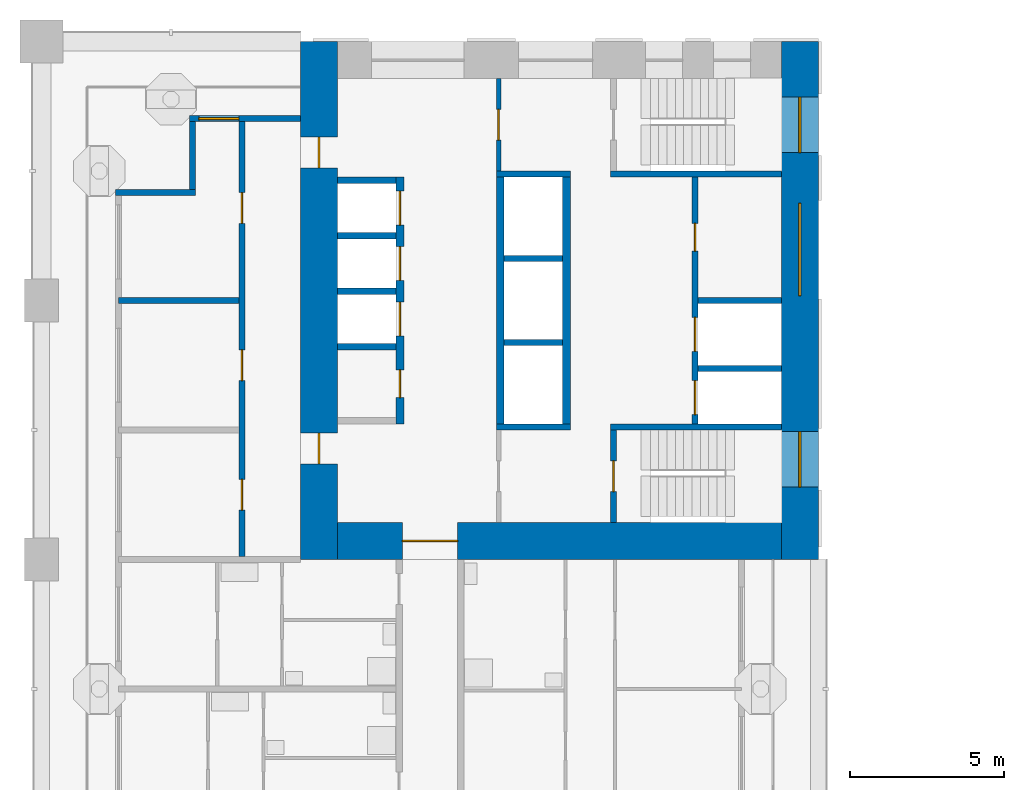
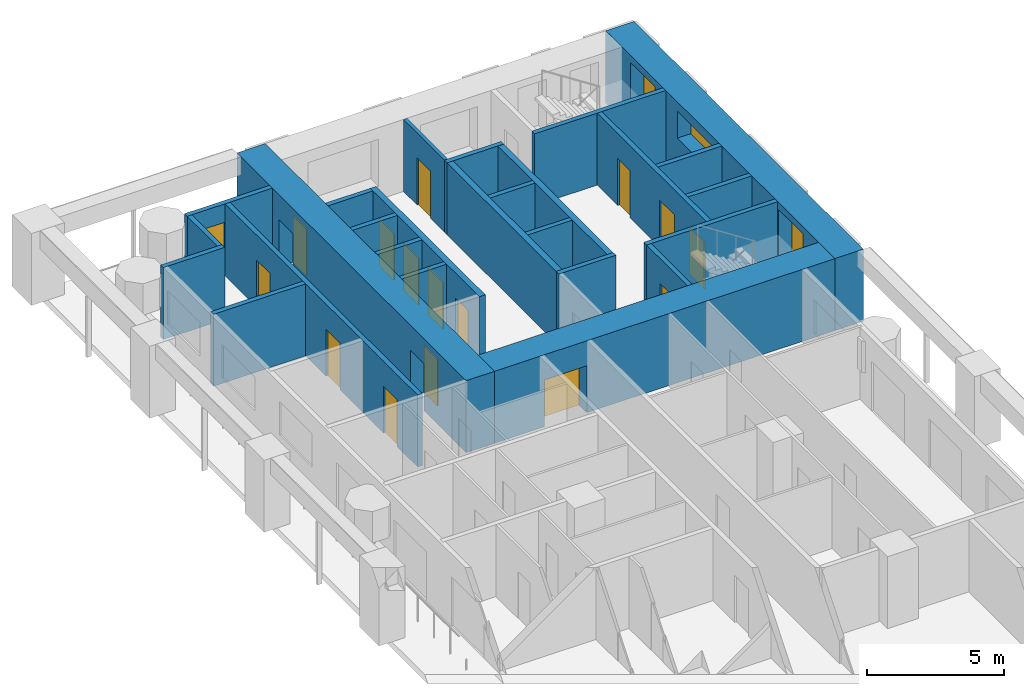
# One storey, part 8 of 19: 26 walls, 15 doors, 4 windows, 19 openings.
"""IFC4 building model written with IfcOpenShell, lengths in metres."""

from ifc_helpers import new_model, si_unit, direction, frame, frame_2d, origin, place, context, subcontext, project, spatial, rectangle, extrude, material, layer, layer_set, type_object, element, fill, save


model = new_model("IFC4")

# Units and contexts
model_context = context("Model", 3, precision=1e-05, world=origin(), true_north=direction((0.0, 1.0)))
body_context = subcontext(model_context, "Body", "Model", "MODEL_VIEW")
ifc_project = project(units=[si_unit("LENGTHUNIT", "METRE"), si_unit("AREAUNIT", "SQUARE_METRE"), si_unit("VOLUMEUNIT", "CUBIC_METRE"), si_unit("PLANEANGLEUNIT", "RADIAN"), si_unit("MASSUNIT", "GRAM", prefix="KILO")], contexts=[model_context])

# Site, building, storey
site_placement = place(None, origin())
site = spatial("IfcSite", under=ifc_project, at=site_placement, CompositionType="ELEMENT")
building_placement = place(site_placement, origin())
building = spatial("IfcBuilding", under=site, at=building_placement, Name="Vermilion Gate Residences", CompositionType="ELEMENT")
storey_placement = place(building_placement, frame((0.0, 0.0, 32.199951171875)))
storey = spatial("IfcBuildingStorey", under=building, at=storey_placement, Name="L06", CompositionType="ELEMENT", Elevation=32.199951171875)

# Wall, opening, door
ifc_material_1 = material(Name="Masonry blockwork", Category="masonry")
ifc_layer_1 = layer(ifc_material_1, 0.14990234375)
ifc_layer_set_1 = layer_set([ifc_layer_1], Name="BLOCKWORK PARTITION 150 EI 120")
wall_type_1 = type_object("IfcWallType", Name="BLOCKWORK PARTITION 150 EI 120", PredefinedType="PARTITIONING", material=ifc_layer_set_1)
wall_1_placement = place(storey_placement, frame((14.824951171875, 57.60009765625, 0.0), z_axis=(0.0, 0.0, 1.0), x_axis=(0.0, -1.0, 0.0)))
wall_1 = element("IfcWall", 1, at=wall_1_placement, inside=storey, type_object=wall_type_1, Name="Core room partition B06-VW-S", PredefinedType="PARTITIONING", context=body_context, shape_type="SweptSolid", body=[
    extrude(rectangle(XDim=3.0, YDim=0.14990234375, at=frame_2d((1.5, 0.0))), origin(), (0.0, 0.0, 1.0), 3.219970703125),
])
opening_1_placement = place(wall_1_placement, frame((1.0, 0.0, 0.0)))
opening_1 = element("IfcOpeningElement", 2, at=opening_1_placement, cuts=wall_1, Name="Opening DK06111", PredefinedType="OPENING", context=body_context, shape_type="SweptSolid", body=[
    extrude(rectangle(XDim=1.0, YDim=2.10009765625, at=frame_2d((0.5, 1.050048828125))), frame((0.0, 0.0849609375, 0.0), z_axis=(0.0, -1.0, 0.0), x_axis=(1.0, 0.0, 0.0)), (0.0, 0.0, 1.0), 0.169921875),
])
ifc_material_2 = material(Name="Steel", Category="steel")
door_type_1 = type_object("IfcDoorType", Name="FIRE DOOR FD60 1000 X 2100", OperationType="SINGLE_SWING_LEFT", PredefinedType="DOOR", material=ifc_material_2)
door_1_placement = place(opening_1_placement, frame((1.0, 0.0, 0.0), z_axis=(0.0, 0.0, 1.0), x_axis=(-1.0, 0.0, 0.0)))
door_1 = element("IfcDoor", 3, at=door_1_placement, inside=storey, type_object=door_type_1, Name="Stair vestibule door B06", OperationType="SINGLE_SWING_RIGHT", OverallHeight=2.10009765625, OverallWidth=1.0, PredefinedType="DOOR", context=body_context, shape_type="SweptSolid", body=[
    extrude(rectangle(XDim=1.0, YDim=2.10009765625, at=frame_2d((0.5, 1.050048828125))), frame((0.0, 0.02490234375, 0.0), z_axis=(0.0, -1.0, 0.0), x_axis=(1.0, 0.0, 0.0)), (0.0, 0.0, 1.0), 0.050048828125),
])
fill(opening_1, door_1)

# Wall, opening, window
ifc_material_3 = material(Name="Insulated steel stud wall with terracotta rainscreen", Category="masonry")
ifc_layer_2 = layer(ifc_material_3, 0.199951171875)
ifc_layer_set_2 = layer_set([ifc_layer_2], Name="EXTERNAL WALL 200 TERRACOTTA RAINSCREEN")
wall_type_2 = type_object("IfcWallType", Name="EXTERNAL WALL 200 TERRACOTTA RAINSCREEN", PredefinedType="SOLIDWALL", material=ifc_layer_set_2)
wall_2_placement = place(storey_placement, frame((8.39990234375, 56.300048828125, 0.0), z_axis=(0.0, 0.0, 1.0), x_axis=(-1.0, 0.0, 0.0)))
wall_2 = element("IfcWall", 4, at=wall_2_placement, inside=storey, type_object=wall_type_2, Name="External wall", PredefinedType="SOLIDWALL", context=body_context, shape_type="SweptSolid", body=[
    extrude(rectangle(XDim=3.599853515625, YDim=0.199951171875, at=frame_2d((1.7998046875, 0.0))), origin(), (0.0, 0.0, 1.0), 3.219970703125),
])
opening_2_placement = place(wall_2_placement, frame((2.0, 0.0, 0.89990234375)))
opening_2 = element("IfcOpeningElement", 5, at=opening_2_placement, cuts=wall_2, Name="Opening WE06001", PredefinedType="OPENING", context=body_context, shape_type="SweptSolid", body=[
    extrude(rectangle(XDim=1.300048828125, YDim=1.5, at=frame_2d((0.64990234375, 0.75))), frame((0.0, 0.10986328125, 0.0), z_axis=(0.0, -1.0, 0.0), x_axis=(1.0, 0.0, 0.0)), (0.0, 0.0, 1.0), 0.219970703125),
])
ifc_material_4 = material(Name="Aluminium and clear glass", Category="aluminium")
window_type_1 = type_object("IfcWindowType", Name="WINDOW 1300 X 1500", PartitioningType="SINGLE_PANEL", PredefinedType="WINDOW", material=ifc_material_4)
window_1_placement = place(opening_2_placement, origin())
window_1 = element("IfcWindow", 6, at=window_1_placement, inside=storey, type_object=window_type_1, Name="Window", OverallHeight=1.5, OverallWidth=1.300048828125, PartitioningType="SINGLE_PANEL", PredefinedType="WINDOW", context=body_context, shape_type="SweptSolid", body=[
    extrude(rectangle(XDim=1.300048828125, YDim=1.5, at=frame_2d((0.64990234375, 0.75))), frame((0.0, 0.030029296875, 0.0), z_axis=(0.0, -1.0, 0.0), x_axis=(1.0, 0.0, 0.0)), (0.0, 0.0, 1.0), 0.06005859375),
])
fill(opening_2, window_1)

# Walls
wall_3_placement = place(storey_placement, frame((4.89990234375, 56.199951171875, 0.0), z_axis=(0.0, 0.0, 1.0), x_axis=(0.0, -1.0, 0.0)))
element("IfcWall", 7, at=wall_3_placement, inside=storey, type_object=wall_type_2, Name="External wall", PredefinedType="SOLIDWALL", context=body_context, shape_type="SweptSolid", body=[
    extrude(rectangle(XDim=2.199951171875, YDim=0.199951171875, at=frame_2d((1.10009765625, 0.0))), origin(), (0.0, 0.0, 1.0), 3.219970703125),
])
wall_4_placement = place(storey_placement, frame((5.0, 53.89990234375, 0.0), z_axis=(0.0, 0.0, 1.0), x_axis=(-1.0, 0.0, 0.0)))
element("IfcWall", 8, at=wall_4_placement, inside=storey, type_object=wall_type_2, Name="External wall", PredefinedType="SOLIDWALL", context=body_context, shape_type="SweptSolid", body=[
    extrude(rectangle(XDim=2.60009765625, YDim=0.199951171875, at=frame_2d((1.300048828125, 0.0))), origin(), (0.0, 0.0, 1.0), 3.219970703125),
])
ifc_material_5 = material(Name="Fire-rated plasterboard on steel studs", Category="steel")
ifc_layer_3 = layer(ifc_material_5, 0.199951171875)
ifc_layer_set_3 = layer_set([ifc_layer_3], Name="PARTY WALL 200 EI 120")
wall_type_3 = type_object("IfcWallType", Name="PARTY WALL 200 EI 120", PredefinedType="PARTITIONING", material=ifc_layer_set_3)
wall_5_placement = place(storey_placement, frame((2.5, 50.39990234375, 0.0), z_axis=(0.0, 0.0, 1.0), x_axis=(1.0, 0.0, 0.0)))
element("IfcWall", 9, at=wall_5_placement, inside=storey, type_object=wall_type_3, Name="Party and corridor wall", PredefinedType="PARTITIONING", context=body_context, shape_type="SweptSolid", body=[
    extrude(rectangle(XDim=3.89990234375, YDim=0.199951171875, at=frame_2d((1.949951171875, 0.0))), origin(), (0.0, 0.0, 1.0), 3.219970703125),
])

# Wall, openings, doors
wall_6_placement = place(storey_placement, frame((6.5, 42.10009765625, 0.0), z_axis=(0.0, 0.0, 1.0), x_axis=(0.0, 1.0, 0.0)))
wall_6 = element("IfcWall", 10, at=wall_6_placement, inside=storey, type_object=wall_type_3, Name="Party and corridor wall", PredefinedType="PARTITIONING", context=body_context, shape_type="SweptSolid", body=[
    extrude(rectangle(XDim=14.199951171875, YDim=0.199951171875, at=frame_2d((7.10009765625, 0.0))), origin(), (0.0, 0.0, 1.0), 3.219970703125),
])
opening_3_placement = place(wall_6_placement, frame((1.5, 0.0, 0.0)))
opening_3 = element("IfcOpeningElement", 11, at=opening_3_placement, cuts=wall_6, Name="Opening DA04035", PredefinedType="OPENING", context=body_context, shape_type="SweptSolid", body=[
    extrude(rectangle(XDim=1.0, YDim=2.10009765625, at=frame_2d((0.5, 1.050048828125))), frame((0.0, 0.10986328125, 0.0), z_axis=(0.0, -1.0, 0.0), x_axis=(1.0, 0.0, 0.0)), (0.0, 0.0, 1.0), 0.219970703125),
])
opening_4_placement = place(wall_6_placement, frame((5.699951171875, 0.0, 0.0)))
opening_4 = element("IfcOpeningElement", 12, at=opening_4_placement, cuts=wall_6, Name="Opening DA04036", PredefinedType="OPENING", context=body_context, shape_type="SweptSolid", body=[
    extrude(rectangle(XDim=1.0, YDim=2.10009765625, at=frame_2d((0.5, 1.050048828125))), frame((0.0, 0.10986328125, 0.0), z_axis=(0.0, -1.0, 0.0), x_axis=(1.0, 0.0, 0.0)), (0.0, 0.0, 1.0), 0.219970703125),
])
opening_5_placement = place(wall_6_placement, frame((10.800048828125, 0.0, 0.0)))
opening_5 = element("IfcOpeningElement", 13, at=opening_5_placement, cuts=wall_6, Name="Opening DA04037", PredefinedType="OPENING", context=body_context, shape_type="SweptSolid", body=[
    extrude(rectangle(XDim=1.0, YDim=2.10009765625, at=frame_2d((0.5, 1.050048828125))), frame((0.0, 0.10986328125, 0.0), z_axis=(0.0, -1.0, 0.0), x_axis=(1.0, 0.0, 0.0)), (0.0, 0.0, 1.0), 0.219970703125),
])
ifc_material_6 = material(Name="Steel", Category="steel")
door_type_2 = type_object("IfcDoorType", Name="ENTRANCE DOOR 1000 X 2100 FD30", OperationType="SINGLE_SWING_LEFT", PredefinedType="DOOR", material=ifc_material_6)
door_2_placement = place(opening_3_placement, origin())
door_2 = element("IfcDoor", 14, at=door_2_placement, inside=storey, type_object=door_type_2, Name="Entrance door", OperationType="SINGLE_SWING_LEFT", OverallHeight=2.10009765625, OverallWidth=1.0, PredefinedType="DOOR", context=body_context, shape_type="SweptSolid", body=[
    extrude(rectangle(XDim=1.0, YDim=2.10009765625, at=frame_2d((0.5, 1.050048828125))), frame((0.0, 0.02490234375, 0.0), z_axis=(0.0, -1.0, 0.0), x_axis=(1.0, 0.0, 0.0)), (0.0, 0.0, 1.0), 0.050048828125),
])
fill(opening_3, door_2)
door_3_placement = place(opening_4_placement, origin())
door_3 = element("IfcDoor", 15, at=door_3_placement, inside=storey, type_object=door_type_2, Name="Entrance door", OperationType="SINGLE_SWING_RIGHT", OverallHeight=2.10009765625, OverallWidth=1.0, PredefinedType="DOOR", context=body_context, shape_type="SweptSolid", body=[
    extrude(rectangle(XDim=1.0, YDim=2.10009765625, at=frame_2d((0.5, 1.050048828125))), frame((0.0, 0.02490234375, 0.0), z_axis=(0.0, -1.0, 0.0), x_axis=(1.0, 0.0, 0.0)), (0.0, 0.0, 1.0), 0.050048828125),
])
fill(opening_4, door_3)
door_4_placement = place(opening_5_placement, origin())
door_4 = element("IfcDoor", 16, at=door_4_placement, inside=storey, type_object=door_type_2, Name="Entrance door", OperationType="SINGLE_SWING_RIGHT", OverallHeight=2.10009765625, OverallWidth=1.0, PredefinedType="DOOR", context=body_context, shape_type="SweptSolid", body=[
    extrude(rectangle(XDim=1.0, YDim=2.10009765625, at=frame_2d((0.5, 1.050048828125))), frame((0.0, 0.02490234375, 0.0), z_axis=(0.0, -1.0, 0.0), x_axis=(1.0, 0.0, 0.0)), (0.0, 0.0, 1.0), 0.050048828125),
])
fill(opening_5, door_4)

# Walls
ifc_material_7 = material(Name="Concrete C60", Category="concrete")
ifc_layer_4 = layer(ifc_material_7, 0.199951171875)
ifc_layer_set_4 = layer_set([ifc_layer_4], Name="RC CORE INTERNAL WALL 200 C60")
wall_type_4 = type_object("IfcWallType", Name="RC CORE INTERNAL WALL 200 C60", PredefinedType="SHEAR", material=ifc_layer_set_4)
for number, where, z_axis, x_axis, name in (
    (17, (9.60009765625, 54.300048828125, 0.0), (0.0, 0.0, 1.0), (1.0, 0.0, 0.0), "Core internal wall B06-LR-D0"),
    (18, (9.60009765625, 52.5, 0.0), (0.0, 0.0, 1.0), (1.0, 0.0, 0.0), "Core internal wall B06-LR-D1"),
    (19, (9.60009765625, 50.699951171875, 0.0), (0.0, 0.0, 1.0), (1.0, 0.0, 0.0), "Core internal wall B06-LR-D2"),
    (20, (9.60009765625, 48.89990234375, 0.0), (0.0, 0.0, 1.0), (1.0, 0.0, 0.0), "Core internal wall B06-LR-D3"),
    (21, (15.0, 51.7666015625, 0.0), (0.0, 0.0, 1.0), (1.0, 0.0, 0.0), "Core internal wall B06-HR-D1"),
    (22, (15.0, 49.033447265625, 0.0), (0.0, 0.0, 1.0), (1.0, 0.0, 0.0), "Core internal wall B06-HR-D2"),
):
    element("IfcWall", number, at=place(storey_placement, frame(where, z_axis=z_axis, x_axis=x_axis)), inside=storey, type_object=wall_type_4, Name=name, PredefinedType="SHEAR", context=body_context, shape_type="SweptSolid", body=[
        extrude(rectangle(XDim=1.89990234375, YDim=0.199951171875, at=frame_2d((0.949951171875, 0.0))), origin(), (0.0, 0.0, 1.0), 3.219970703125),
    ])
for number, where, z_axis, x_axis, name in (
    (23, (21.300048828125, 50.39990234375, 0.0), (0.0, 0.0, 1.0), (1.0, 0.0, 0.0), "Core internal wall B06-FF-D0"),
    (24, (21.300048828125, 48.199951171875, 0.0), (0.0, 0.0, 1.0), (1.0, 0.0, 0.0), "Core internal wall B06-FF-D1"),
):
    element("IfcWall", number, at=place(storey_placement, frame(where, z_axis=z_axis, x_axis=x_axis)), inside=storey, type_object=wall_type_4, Name=name, PredefinedType="SHEAR", context=body_context, shape_type="SweptSolid", body=[
        extrude(rectangle(XDim=2.699951171875, YDim=0.199951171875, at=frame_2d((1.35009765625, 0.0))), origin(), (0.0, 0.0, 1.0), 3.219970703125),
    ])

# Wall, openings, doors
wall_7_placement = place(storey_placement, frame((21.199951171875, 54.39990234375, 0.0), z_axis=(0.0, 0.0, 1.0), x_axis=(0.0, -1.0, 0.0)))
wall_7 = element("IfcWall", 25, at=wall_7_placement, inside=storey, type_object=wall_type_4, Name="Core internal wall B06-FF-F", PredefinedType="SHEAR", context=body_context, shape_type="SweptSolid", body=[
    extrude(rectangle(XDim=8.0, YDim=0.199951171875, at=frame_2d((4.0, 0.0))), origin(), (0.0, 0.0, 1.0), 3.219970703125),
])
opening_6_placement = place(wall_7_placement, frame((1.5, 0.0, 0.0)))
opening_6 = element("IfcOpeningElement", 26, at=opening_6_placement, cuts=wall_7, Name="Opening DK06108", PredefinedType="OPENING", context=body_context, shape_type="SweptSolid", body=[
    extrude(rectangle(XDim=0.89990234375, YDim=2.10009765625, at=frame_2d((0.449951171875, 1.050048828125))), frame((0.0, 0.10986328125, 0.0), z_axis=(0.0, -1.0, 0.0), x_axis=(1.0, 0.0, 0.0)), (0.0, 0.0, 1.0), 0.219970703125),
])
opening_7_placement = place(wall_7_placement, frame((4.550048828125, 0.0, 0.0)))
opening_7 = element("IfcOpeningElement", 27, at=opening_7_placement, cuts=wall_7, Name="Opening LD", PredefinedType="OPENING", context=body_context, shape_type="SweptSolid", body=[
    extrude(rectangle(XDim=1.10009765625, YDim=2.10009765625, at=frame_2d((0.550048828125, 1.050048828125))), frame((0.0, 0.10986328125, 0.0), z_axis=(0.0, -1.0, 0.0), x_axis=(1.0, 0.0, 0.0)), (0.0, 0.0, 1.0), 0.219970703125),
])
opening_8_placement = place(wall_7_placement, frame((6.60009765625, 0.0, 0.0)))
opening_8 = element("IfcOpeningElement", 28, at=opening_8_placement, cuts=wall_7, Name="Opening LD", PredefinedType="OPENING", context=body_context, shape_type="SweptSolid", body=[
    extrude(rectangle(XDim=1.10009765625, YDim=2.10009765625, at=frame_2d((0.550048828125, 1.050048828125))), frame((0.0, 0.10986328125, 0.0), z_axis=(0.0, -1.0, 0.0), x_axis=(1.0, 0.0, 0.0)), (0.0, 0.0, 1.0), 0.219970703125),
])
ifc_material_8 = material(Name="Stainless steel", Category="steel")
door_type_3 = type_object("IfcDoorType", Name="LIFT LANDING DOOR E60 1100 X 2100", OperationType="DOUBLE_DOOR_SLIDING", PredefinedType="DOOR", material=ifc_material_8)
door_5_placement = place(opening_7_placement, origin())
door_5 = element("IfcDoor", 29, at=door_5_placement, inside=storey, type_object=door_type_3, Name="Lift landing door LFB1", OperationType="DOUBLE_DOOR_SLIDING", OverallHeight=2.10009765625, OverallWidth=1.10009765625, PredefinedType="DOOR", context=body_context, shape_type="SweptSolid", body=[
    extrude(rectangle(XDim=1.10009765625, YDim=2.10009765625, at=frame_2d((0.550048828125, 1.050048828125))), frame((0.0, 0.02490234375, 0.0), z_axis=(0.0, -1.0, 0.0), x_axis=(1.0, 0.0, 0.0)), (0.0, 0.0, 1.0), 0.050048828125),
])
fill(opening_7, door_5)
door_6_placement = place(opening_8_placement, origin())
door_6 = element("IfcDoor", 30, at=door_6_placement, inside=storey, type_object=door_type_3, Name="Lift landing door LCB1", OperationType="DOUBLE_DOOR_SLIDING", OverallHeight=2.10009765625, OverallWidth=1.10009765625, PredefinedType="DOOR", context=body_context, shape_type="SweptSolid", body=[
    extrude(rectangle(XDim=1.10009765625, YDim=2.10009765625, at=frame_2d((0.550048828125, 1.050048828125))), frame((0.0, 0.02490234375, 0.0), z_axis=(0.0, -1.0, 0.0), x_axis=(1.0, 0.0, 0.0)), (0.0, 0.0, 1.0), 0.050048828125),
])
fill(opening_8, door_6)
ifc_material_9 = material(Name="Steel", Category="steel")
door_type_4 = type_object("IfcDoorType", Name="SERVICE ROOM DOOR FD60 900 X 2100", OperationType="SINGLE_SWING_LEFT", PredefinedType="DOOR", material=ifc_material_9)
door_7_placement = place(opening_6_placement, origin())
door_7 = element("IfcDoor", 31, at=door_7_placement, inside=storey, type_object=door_type_4, Name="Electrical riser B06", OperationType="SINGLE_SWING_LEFT", OverallHeight=2.10009765625, OverallWidth=0.89990234375, PredefinedType="DOOR", context=body_context, shape_type="SweptSolid", body=[
    extrude(rectangle(XDim=0.89990234375, YDim=2.10009765625, at=frame_2d((0.449951171875, 1.050048828125))), frame((0.0, 0.02490234375, 0.0), z_axis=(0.0, -1.0, 0.0), x_axis=(1.0, 0.0, 0.0)), (0.0, 0.0, 1.0), 0.050048828125),
])
fill(opening_6, door_7)

# Walls
wall_8_placement = place(storey_placement, frame((14.75, 54.5, 0.0), z_axis=(0.0, 0.0, 1.0), x_axis=(1.0, 0.0, 0.0)))
element("IfcWall", 32, at=wall_8_placement, inside=storey, type_object=wall_type_4, Name="Core internal wall B06-WDIV1", PredefinedType="SHEAR", context=body_context, shape_type="SweptSolid", body=[
    extrude(rectangle(XDim=2.39990234375, YDim=0.199951171875, at=frame_2d((1.199951171875, 0.0))), origin(), (0.0, 0.0, 1.0), 3.219970703125),
])
wall_9_placement = place(storey_placement, frame((18.449951171875, 54.5, 0.0), z_axis=(0.0, 0.0, 1.0), x_axis=(1.0, 0.0, 0.0)))
element("IfcWall", 33, at=wall_9_placement, inside=storey, type_object=wall_type_4, Name="Core internal wall B06-WDIV2", PredefinedType="SHEAR", context=body_context, shape_type="SweptSolid", body=[
    extrude(rectangle(XDim=5.550048828125, YDim=0.199951171875, at=frame_2d((2.77490234375, 0.0))), origin(), (0.0, 0.0, 1.0), 3.219970703125),
])
wall_10_placement = place(storey_placement, frame((14.75, 46.300048828125, 0.0), z_axis=(0.0, 0.0, 1.0), x_axis=(1.0, 0.0, 0.0)))
element("IfcWall", 34, at=wall_10_placement, inside=storey, type_object=wall_type_4, Name="Core internal wall B06-EDIV1", PredefinedType="SHEAR", context=body_context, shape_type="SweptSolid", body=[
    extrude(rectangle(XDim=2.39990234375, YDim=0.199951171875, at=frame_2d((1.199951171875, 0.0))), origin(), (0.0, 0.0, 1.0), 3.219970703125),
])
wall_11_placement = place(storey_placement, frame((18.449951171875, 46.300048828125, 0.0), z_axis=(0.0, 0.0, 1.0), x_axis=(1.0, 0.0, 0.0)))
element("IfcWall", 35, at=wall_11_placement, inside=storey, type_object=wall_type_4, Name="Core internal wall B06-EDIV2", PredefinedType="SHEAR", context=body_context, shape_type="SweptSolid", body=[
    extrude(rectangle(XDim=5.550048828125, YDim=0.199951171875, at=frame_2d((2.77490234375, 0.0))), origin(), (0.0, 0.0, 1.0), 3.219970703125),
])

# Wall, opening, door
wall_12_placement = place(storey_placement, frame((18.550048828125, 46.199951171875, 0.0), z_axis=(0.0, 0.0, 1.0), x_axis=(0.0, -1.0, 0.0)))
wall_12 = element("IfcWall", 36, at=wall_12_placement, inside=storey, type_object=wall_type_4, Name="Core internal wall B06-STE-S", PredefinedType="SHEAR", context=body_context, shape_type="SweptSolid", body=[
    extrude(rectangle(XDim=3.0, YDim=0.199951171875, at=frame_2d((1.5, 0.0))), origin(), (0.0, 0.0, 1.0), 3.219970703125),
])
opening_9_placement = place(wall_12_placement, frame((1.0, 0.0, 0.0)))
opening_9 = element("IfcOpeningElement", 37, at=opening_9_placement, cuts=wall_12, Name="Opening DK06114", PredefinedType="OPENING", context=body_context, shape_type="SweptSolid", body=[
    extrude(rectangle(XDim=1.0, YDim=2.10009765625, at=frame_2d((0.5, 1.050048828125))), frame((0.0, 0.10986328125, 0.0), z_axis=(0.0, -1.0, 0.0), x_axis=(1.0, 0.0, 0.0)), (0.0, 0.0, 1.0), 0.219970703125),
])
door_8_placement = place(opening_9_placement, origin())
door_8 = element("IfcDoor", 38, at=door_8_placement, inside=storey, type_object=door_type_1, Name="Stair door B06", OperationType="SINGLE_SWING_LEFT", OverallHeight=2.10009765625, OverallWidth=1.0, PredefinedType="DOOR", context=body_context, shape_type="SweptSolid", body=[
    extrude(rectangle(XDim=1.0, YDim=2.10009765625, at=frame_2d((0.5, 1.050048828125))), frame((0.0, 0.02490234375, 0.0), z_axis=(0.0, -1.0, 0.0), x_axis=(1.0, 0.0, 0.0)), (0.0, 0.0, 1.0), 0.050048828125),
])
fill(opening_9, door_8)

# Wall, openings, doors
ifc_material_10 = material(Name="Concrete C80", Category="concrete")
ifc_layer_5 = layer(ifc_material_10, 1.199951171875)
ifc_layer_set_5 = layer_set([ifc_layer_5], Name="RC CORE WALL 1200 C80")
wall_type_5 = type_object("IfcWallType", Name="RC CORE WALL 1200 C80", PredefinedType="SHEAR", material=ifc_layer_set_5)
wall_13_placement = place(storey_placement, frame((9.0, 58.800048828125, 0.0), z_axis=(0.0, 0.0, 1.0), x_axis=(0.0, -1.0, 0.0)))
wall_13 = element("IfcWall", 39, at=wall_13_placement, inside=storey, type_object=wall_type_5, Name="Core wall B06-OUT-B0", PredefinedType="SHEAR", context=body_context, shape_type="SweptSolid", body=[
    extrude(rectangle(XDim=16.800048828125, YDim=1.199951171875, at=frame_2d((8.39990234375, 0.0))), origin(), (0.0, 0.0, 1.0), 3.219970703125),
])
opening_10_placement = place(wall_13_placement, frame((3.10009765625, 0.0, 0.0)))
opening_10 = element("IfcOpeningElement", 40, at=opening_10_placement, cuts=wall_13, Name="Opening DK06101", PredefinedType="OPENING", context=body_context, shape_type="SweptSolid", body=[
    extrude(rectangle(XDim=1.0, YDim=2.10009765625, at=frame_2d((0.5, 1.050048828125))), frame((0.0, 0.60986328125, 0.0), z_axis=(0.0, -1.0, 0.0), x_axis=(1.0, 0.0, 0.0)), (0.0, 0.0, 1.0), 1.219970703125),
])
opening_11_placement = place(wall_13_placement, frame((12.699951171875, 0.0, 0.0)))
opening_11 = element("IfcOpeningElement", 41, at=opening_11_placement, cuts=wall_13, Name="Opening DK06102", PredefinedType="OPENING", context=body_context, shape_type="SweptSolid", body=[
    extrude(rectangle(XDim=1.0, YDim=2.10009765625, at=frame_2d((0.5, 1.050048828125))), frame((0.0, 0.60986328125, 0.0), z_axis=(0.0, -1.0, 0.0), x_axis=(1.0, 0.0, 0.0)), (0.0, 0.0, 1.0), 1.219970703125),
])
door_9_placement = place(opening_10_placement, origin())
door_9 = element("IfcDoor", 42, at=door_9_placement, inside=storey, type_object=door_type_1, Name="Core lobby side door B06", OperationType="SINGLE_SWING_RIGHT", OverallHeight=2.10009765625, OverallWidth=1.0, PredefinedType="DOOR", context=body_context, shape_type="SweptSolid", body=[
    extrude(rectangle(XDim=1.0, YDim=2.10009765625, at=frame_2d((0.5, 1.050048828125))), frame((0.0, 0.02490234375, 0.0), z_axis=(0.0, -1.0, 0.0), x_axis=(1.0, 0.0, 0.0)), (0.0, 0.0, 1.0), 0.050048828125),
])
fill(opening_10, door_9)
door_10_placement = place(opening_11_placement, origin())
door_10 = element("IfcDoor", 43, at=door_10_placement, inside=storey, type_object=door_type_1, Name="Core lobby side door B06", OperationType="SINGLE_SWING_LEFT", OverallHeight=2.10009765625, OverallWidth=1.0, PredefinedType="DOOR", context=body_context, shape_type="SweptSolid", body=[
    extrude(rectangle(XDim=1.0, YDim=2.10009765625, at=frame_2d((0.5, 1.050048828125))), frame((0.0, 0.02490234375, 0.0), z_axis=(0.0, -1.0, 0.0), x_axis=(1.0, 0.0, 0.0)), (0.0, 0.0, 1.0), 0.050048828125),
])
fill(opening_11, door_10)

# Wall, opening, door
wall_14_placement = place(storey_placement, frame((9.60009765625, 42.60009765625, 0.0), z_axis=(0.0, 0.0, 1.0), x_axis=(1.0, 0.0, 0.0)))
wall_14 = element("IfcWall", 44, at=wall_14_placement, inside=storey, type_object=wall_type_5, Name="Core wall B06-OUT-BK", PredefinedType="SHEAR", context=body_context, shape_type="SweptSolid", body=[
    extrude(rectangle(XDim=14.39990234375, YDim=1.199951171875, at=frame_2d((7.199951171875, 0.0))), origin(), (0.0, 0.0, 1.0), 3.219970703125),
])
opening_12_placement = place(wall_14_placement, frame((2.10009765625, 0.0, 0.0)))
opening_12 = element("IfcOpeningElement", 45, at=opening_12_placement, cuts=wall_14, Name="Opening DK06103", PredefinedType="OPENING", context=body_context, shape_type="SweptSolid", body=[
    extrude(rectangle(XDim=1.800048828125, YDim=2.10009765625, at=frame_2d((0.89990234375, 1.050048828125))), frame((0.0, 0.60986328125, 0.0), z_axis=(0.0, -1.0, 0.0), x_axis=(1.0, 0.0, 0.0)), (0.0, 0.0, 1.0), 1.219970703125),
])
ifc_material_11 = material(Name="Steel", Category="steel")
door_type_5 = type_object("IfcDoorType", Name="CORE LOBBY DOOR FD60 1800 X 2100", OperationType="DOUBLE_DOOR_SINGLE_SWING", PredefinedType="DOOR", material=ifc_material_11)
door_11_placement = place(opening_12_placement, origin())
door_11 = element("IfcDoor", 46, at=door_11_placement, inside=storey, type_object=door_type_5, Name="Core lobby door B06", OperationType="DOUBLE_DOOR_SINGLE_SWING", OverallHeight=2.10009765625, OverallWidth=1.800048828125, PredefinedType="DOOR", context=body_context, shape_type="SweptSolid", body=[
    extrude(rectangle(XDim=1.800048828125, YDim=2.10009765625, at=frame_2d((0.89990234375, 1.050048828125))), frame((0.0, 0.02490234375, 0.0), z_axis=(0.0, -1.0, 0.0), x_axis=(1.0, 0.0, 0.0)), (0.0, 0.0, 1.0), 0.050048828125),
])
fill(opening_12, door_11)

# Wall, openings, windows
ifc_material_12 = material(Name="Concrete C80 red-oxide pigmented", Category="concrete")
ifc_layer_6 = layer(ifc_material_12, 1.199951171875)
ifc_layer_set_6 = layer_set([ifc_layer_6], Name="RC CORE WALL 1200 C80 RED OXIDE")
wall_type_6 = type_object("IfcWallType", Name="RC CORE WALL 1200 C80 RED OXIDE", PredefinedType="SHEAR", material=ifc_layer_set_6)
wall_15_placement = place(storey_placement, frame((24.60009765625, 58.800048828125, 0.0), z_axis=(0.0, 0.0, 1.0), x_axis=(0.0, -1.0, 0.0)))
wall_15 = element("IfcWall", 47, at=wall_15_placement, inside=storey, type_object=wall_type_6, Name="Core wall B06-OUT-B1", PredefinedType="SHEAR", context=body_context, shape_type="SweptSolid", body=[
    extrude(rectangle(XDim=16.800048828125, YDim=1.199951171875, at=frame_2d((8.39990234375, 0.0))), origin(), (0.0, 0.0, 1.0), 3.219970703125),
])
opening_13_placement = place(wall_15_placement, frame((1.800048828125, 0.0, 0.5)))
opening_13 = element("IfcOpeningElement", 48, at=opening_13_placement, cuts=wall_15, Name="Opening WKB0601", PredefinedType="OPENING", context=body_context, shape_type="SweptSolid", body=[
    extrude(rectangle(XDim=1.800048828125, YDim=2.39990234375, at=frame_2d((0.89990234375, 1.199951171875))), frame((0.0, 0.60986328125, 0.0), z_axis=(0.0, -1.0, 0.0), x_axis=(1.0, 0.0, 0.0)), (0.0, 0.0, 1.0), 1.219970703125),
])
opening_14_placement = place(wall_15_placement, frame((5.25, 0.0, 1.60009765625)))
opening_14 = element("IfcOpeningElement", 49, at=opening_14_placement, cuts=wall_15, Name="Opening WKB0602", PredefinedType="OPENING", context=body_context, shape_type="SweptSolid", body=[
    extrude(rectangle(XDim=3.0, YDim=1.199951171875, at=frame_2d((1.5, 0.60009765625))), frame((0.0, 0.60986328125, 0.0), z_axis=(0.0, -1.0, 0.0), x_axis=(1.0, 0.0, 0.0)), (0.0, 0.0, 1.0), 1.219970703125),
])
opening_15_placement = place(wall_15_placement, frame((12.64990234375, 0.0, 0.5)))
opening_15 = element("IfcOpeningElement", 50, at=opening_15_placement, cuts=wall_15, Name="Opening WKB0603", PredefinedType="OPENING", context=body_context, shape_type="SweptSolid", body=[
    extrude(rectangle(XDim=1.800048828125, YDim=2.39990234375, at=frame_2d((0.89990234375, 1.199951171875))), frame((0.0, 0.60986328125, 0.0), z_axis=(0.0, -1.0, 0.0), x_axis=(1.0, 0.0, 0.0)), (0.0, 0.0, 1.0), 1.219970703125),
])
ifc_material_13 = material(Name="Aluminium frame with louvre blades", Category="aluminium")
window_type_2 = type_object("IfcWindowType", Name="CORE LOUVRE 3000 X 1200", PartitioningType="SINGLE_PANEL", PredefinedType="WINDOW", material=ifc_material_13)
window_2_placement = place(opening_14_placement, origin())
window_2 = element("IfcWindow", 51, at=window_2_placement, inside=storey, type_object=window_type_2, Name="Core louvre", OverallHeight=1.199951171875, OverallWidth=3.0, PartitioningType="SINGLE_PANEL", PredefinedType="WINDOW", context=body_context, shape_type="SweptSolid", body=[
    extrude(rectangle(XDim=3.0, YDim=1.199951171875, at=frame_2d((1.5, 0.60009765625))), frame((0.0, 0.030029296875, 0.0), z_axis=(0.0, -1.0, 0.0), x_axis=(1.0, 0.0, 0.0)), (0.0, 0.0, 1.0), 0.06005859375),
])
fill(opening_14, window_2)
ifc_material_14 = material(Name="Aluminium and clear glass", Category="aluminium")
window_type_3 = type_object("IfcWindowType", Name="CORE STAIR WINDOW 1800 X 2400", PartitioningType="SINGLE_PANEL", PredefinedType="WINDOW", material=ifc_material_14)
window_3_placement = place(opening_13_placement, origin())
window_3 = element("IfcWindow", 52, at=window_3_placement, inside=storey, type_object=window_type_3, Name="Core stair window", OverallHeight=2.39990234375, OverallWidth=1.800048828125, PartitioningType="SINGLE_PANEL", PredefinedType="WINDOW", context=body_context, shape_type="SweptSolid", body=[
    extrude(rectangle(XDim=1.800048828125, YDim=2.39990234375, at=frame_2d((0.89990234375, 1.199951171875))), frame((0.0, 0.030029296875, 0.0), z_axis=(0.0, -1.0, 0.0), x_axis=(1.0, 0.0, 0.0)), (0.0, 0.0, 1.0), 0.06005859375),
])
fill(opening_13, window_3)
window_4_placement = place(opening_15_placement, origin())
window_4 = element("IfcWindow", 53, at=window_4_placement, inside=storey, type_object=window_type_3, Name="Core stair window", OverallHeight=2.39990234375, OverallWidth=1.800048828125, PartitioningType="SINGLE_PANEL", PredefinedType="WINDOW", context=body_context, shape_type="SweptSolid", body=[
    extrude(rectangle(XDim=1.800048828125, YDim=2.39990234375, at=frame_2d((0.89990234375, 1.199951171875))), frame((0.0, 0.030029296875, 0.0), z_axis=(0.0, -1.0, 0.0), x_axis=(1.0, 0.0, 0.0)), (0.0, 0.0, 1.0), 0.06005859375),
])
fill(opening_15, window_4)

# Wall, openings, doors
ifc_material_15 = material(Name="Concrete C60", Category="concrete")
ifc_layer_7 = layer(ifc_material_15, 0.25)
ifc_layer_set_7 = layer_set([ifc_layer_7], Name="RC LIFT SHAFT WALL 250 C60")
wall_type_7 = type_object("IfcWallType", Name="RC LIFT SHAFT WALL 250 C60", PredefinedType="SHEAR", material=ifc_layer_set_7)
wall_16_placement = place(storey_placement, frame((11.625, 54.39990234375, 0.0), z_axis=(0.0, 0.0, 1.0), x_axis=(0.0, -1.0, 0.0)))
wall_16 = element("IfcWall", 54, at=wall_16_placement, inside=storey, type_object=wall_type_7, Name="Lift shaft wall B06-LR-F", PredefinedType="SHEAR", context=body_context, shape_type="SweptSolid", body=[
    extrude(rectangle(XDim=8.0, YDim=0.25, at=frame_2d((4.0, 0.0))), origin(), (0.0, 0.0, 1.0), 3.219970703125),
])
opening_16_placement = place(wall_16_placement, frame((0.449951171875, 0.0, 0.0)))
opening_16 = element("IfcOpeningElement", 55, at=opening_16_placement, cuts=wall_16, Name="Opening LD", PredefinedType="OPENING", context=body_context, shape_type="SweptSolid", body=[
    extrude(rectangle(XDim=1.10009765625, YDim=2.10009765625, at=frame_2d((0.550048828125, 1.050048828125))), frame((0.0, 0.135009765625, 0.0), z_axis=(0.0, -1.0, 0.0), x_axis=(1.0, 0.0, 0.0)), (0.0, 0.0, 1.0), 0.27001953125),
])
opening_17_placement = place(wall_16_placement, frame((2.25, 0.0, 0.0)))
opening_17 = element("IfcOpeningElement", 56, at=opening_17_placement, cuts=wall_16, Name="Opening LD", PredefinedType="OPENING", context=body_context, shape_type="SweptSolid", body=[
    extrude(rectangle(XDim=1.10009765625, YDim=2.10009765625, at=frame_2d((0.550048828125, 1.050048828125))), frame((0.0, 0.135009765625, 0.0), z_axis=(0.0, -1.0, 0.0), x_axis=(1.0, 0.0, 0.0)), (0.0, 0.0, 1.0), 0.27001953125),
])
opening_18_placement = place(wall_16_placement, frame((4.050048828125, 0.0, 0.0)))
opening_18 = element("IfcOpeningElement", 57, at=opening_18_placement, cuts=wall_16, Name="Opening LD", PredefinedType="OPENING", context=body_context, shape_type="SweptSolid", body=[
    extrude(rectangle(XDim=1.10009765625, YDim=2.10009765625, at=frame_2d((0.550048828125, 1.050048828125))), frame((0.0, 0.135009765625, 0.0), z_axis=(0.0, -1.0, 0.0), x_axis=(1.0, 0.0, 0.0)), (0.0, 0.0, 1.0), 0.27001953125),
])
opening_19_placement = place(wall_16_placement, frame((6.25, 0.0, 0.0)))
opening_19 = element("IfcOpeningElement", 58, at=opening_19_placement, cuts=wall_16, Name="Opening DK06107", PredefinedType="OPENING", context=body_context, shape_type="SweptSolid", body=[
    extrude(rectangle(XDim=0.89990234375, YDim=2.10009765625, at=frame_2d((0.449951171875, 1.050048828125))), frame((0.0, 0.135009765625, 0.0), z_axis=(0.0, -1.0, 0.0), x_axis=(1.0, 0.0, 0.0)), (0.0, 0.0, 1.0), 0.27001953125),
])
door_12_placement = place(opening_16_placement, origin())
door_12 = element("IfcDoor", 59, at=door_12_placement, inside=storey, type_object=door_type_3, Name="Lift landing door LRB1", OperationType="DOUBLE_DOOR_SLIDING", OverallHeight=2.10009765625, OverallWidth=1.10009765625, PredefinedType="DOOR", context=body_context, shape_type="SweptSolid", body=[
    extrude(rectangle(XDim=1.10009765625, YDim=2.10009765625, at=frame_2d((0.550048828125, 1.050048828125))), frame((0.0, 0.02490234375, 0.0), z_axis=(0.0, -1.0, 0.0), x_axis=(1.0, 0.0, 0.0)), (0.0, 0.0, 1.0), 0.050048828125),
])
fill(opening_16, door_12)
door_13_placement = place(opening_17_placement, origin())
door_13 = element("IfcDoor", 60, at=door_13_placement, inside=storey, type_object=door_type_3, Name="Lift landing door LRB2", OperationType="DOUBLE_DOOR_SLIDING", OverallHeight=2.10009765625, OverallWidth=1.10009765625, PredefinedType="DOOR", context=body_context, shape_type="SweptSolid", body=[
    extrude(rectangle(XDim=1.10009765625, YDim=2.10009765625, at=frame_2d((0.550048828125, 1.050048828125))), frame((0.0, 0.02490234375, 0.0), z_axis=(0.0, -1.0, 0.0), x_axis=(1.0, 0.0, 0.0)), (0.0, 0.0, 1.0), 0.050048828125),
])
fill(opening_17, door_13)
door_14_placement = place(opening_18_placement, origin())
door_14 = element("IfcDoor", 61, at=door_14_placement, inside=storey, type_object=door_type_3, Name="Lift landing door LRB3", OperationType="DOUBLE_DOOR_SLIDING", OverallHeight=2.10009765625, OverallWidth=1.10009765625, PredefinedType="DOOR", context=body_context, shape_type="SweptSolid", body=[
    extrude(rectangle(XDim=1.10009765625, YDim=2.10009765625, at=frame_2d((0.550048828125, 1.050048828125))), frame((0.0, 0.02490234375, 0.0), z_axis=(0.0, -1.0, 0.0), x_axis=(1.0, 0.0, 0.0)), (0.0, 0.0, 1.0), 0.050048828125),
])
fill(opening_18, door_14)
door_15_placement = place(opening_19_placement, frame((0.89990234375, 0.0, 0.0), z_axis=(0.0, 0.0, 1.0), x_axis=(-1.0, 0.0, 0.0)))
door_15 = element("IfcDoor", 62, at=door_15_placement, inside=storey, type_object=door_type_4, Name="Cleaner's store B06", OperationType="SINGLE_SWING_RIGHT", OverallHeight=2.10009765625, OverallWidth=0.89990234375, PredefinedType="DOOR", context=body_context, shape_type="SweptSolid", body=[
    extrude(rectangle(XDim=0.89990234375, YDim=2.10009765625, at=frame_2d((0.449951171875, 1.050048828125))), frame((0.0, 0.02490234375, 0.0), z_axis=(0.0, -1.0, 0.0), x_axis=(1.0, 0.0, 0.0)), (0.0, 0.0, 1.0), 0.050048828125),
])
fill(opening_19, door_15)

# Walls
for number, where, z_axis, x_axis, name in (
    (63, (14.875, 54.39990234375, 0.0), (0.0, 0.0, 1.0), (0.0, -1.0, 0.0), "Lift shaft wall B06-HR-F"),
    (64, (17.02490234375, 54.39990234375, 0.0), (0.0, 0.0, 1.0), (0.0, -1.0, 0.0), "Lift shaft wall B06-HR-B"),
):
    element("IfcWall", number, at=place(storey_placement, frame(where, z_axis=z_axis, x_axis=x_axis)), inside=storey, type_object=wall_type_7, Name=name, PredefinedType="SHEAR", context=body_context, shape_type="SweptSolid", body=[
        extrude(rectangle(XDim=8.0, YDim=0.25, at=frame_2d((4.0, 0.0))), origin(), (0.0, 0.0, 1.0), 3.219970703125),
    ])

save(model, "model.ifc")
